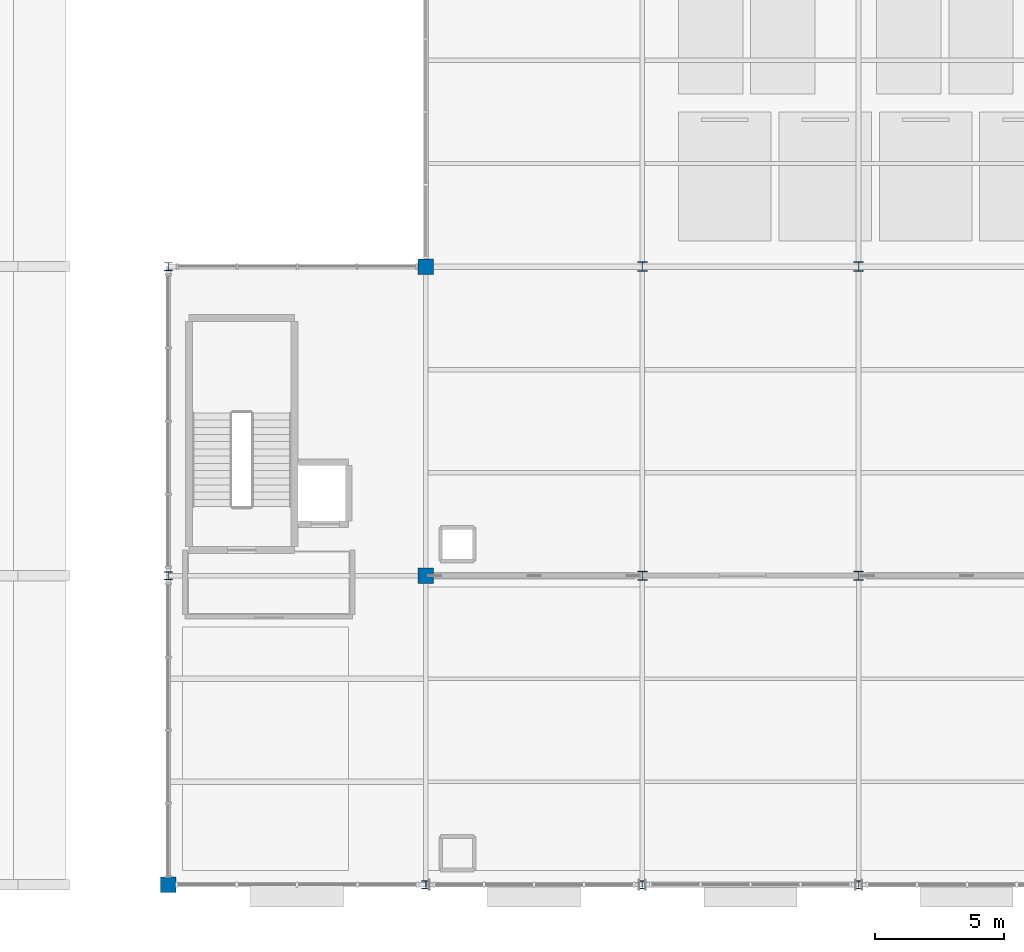
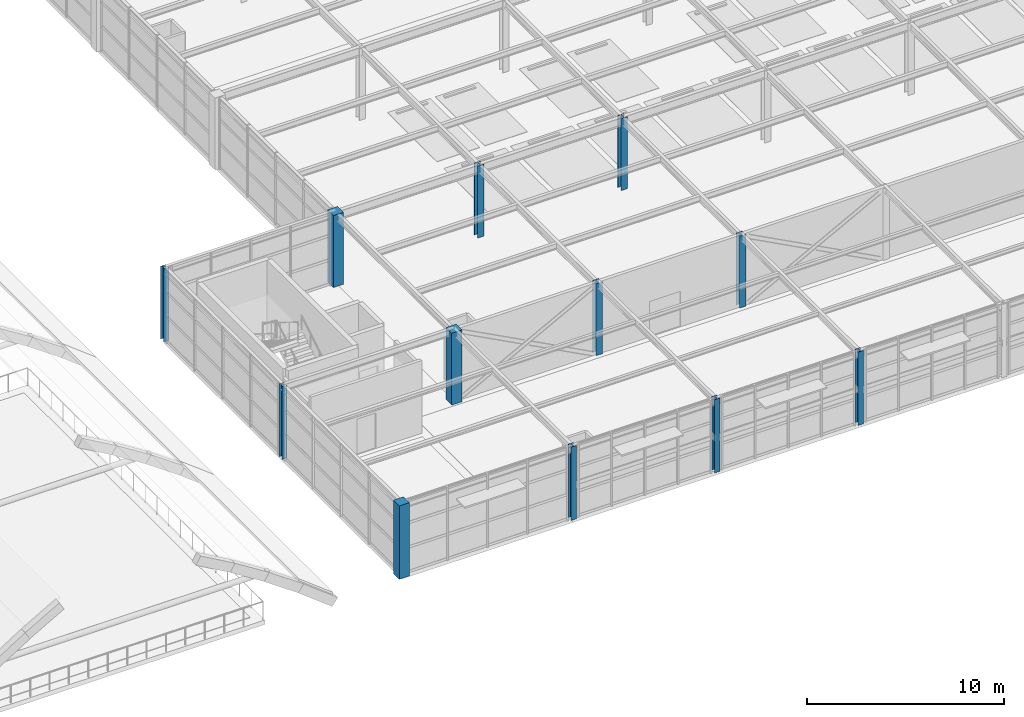
# One storey, part 1 of 82: 12 columns.
"""IFC4 building model written with IfcOpenShell, lengths in metres."""

from ifc_helpers import new_model, si_unit, direction, frame, origin, origin_2d, place, context, subcontext, project, spatial, rectangle, i_section, extrude, material, material_profile, profile_set, type_object, element, save


model = new_model("IFC4")

# Units and contexts
model_context = context("Model", 3, precision=1e-05, world=origin(), true_north=direction((0.0, 1.0)))
body_context = subcontext(model_context, "Body", "Model", "MODEL_VIEW")
ifc_project = project(units=[si_unit("LENGTHUNIT", "METRE"), si_unit("AREAUNIT", "SQUARE_METRE"), si_unit("VOLUMEUNIT", "CUBIC_METRE"), si_unit("PLANEANGLEUNIT", "RADIAN"), si_unit("MASSUNIT", "GRAM", prefix="KILO")], contexts=[model_context])

# Site, building, storey
site_placement = place(None, origin())
site = spatial("IfcSite", under=ifc_project, at=site_placement, CompositionType="ELEMENT")
building_placement = place(site_placement, origin())
building = spatial("IfcBuilding", under=site, at=building_placement, Name="Sitalva Quay Ferry Terminal", CompositionType="ELEMENT")
storey_placement = place(building_placement, frame((0.0, 0.0, 5.39990234375)))
storey = spatial("IfcBuildingStorey", under=building, at=storey_placement, Name="L02", CompositionType="ELEMENT", Elevation=5.39990234375)

# Columns
ifc_material_1 = material(Name="Concrete C35/45", Category="concrete")
ifc_material_profile_1 = material_profile(ifc_material_1, rectangle(XDim=0.60009765625, YDim=0.60009765625, at=origin_2d()), Name="RC600x600")
ifc_profile_set_1 = profile_set([ifc_material_profile_1], Name="Concrete C35/45")
column_type_1 = type_object("IfcColumnType", Name="Col_RC600x600", PredefinedType="COLUMN", material=ifc_profile_set_1)
column_placement = place(storey_placement, frame((74.0, 6.0, 0.0), z_axis=(0.0, 0.0, 1.0), x_axis=(1.0, 0.0, 0.0)))
element("IfcColumn", 1, at=column_placement, inside=storey, type_object=column_type_1, Name="L02 column 10C", PredefinedType="COLUMN", context=body_context, shape_type="SweptSolid", body=[
    extrude(rectangle(XDim=0.60009765625, YDim=0.60009765625, at=origin_2d()), origin(), (0.0, 0.0, 1.0), 4.5400390625),
])
for number, where, z_axis, x_axis, name in (
    (2, (84.0, 18.0, 0.0), (0.0, 0.0, 1.0), (1.0, 0.0, 0.0), "L02 column 11D"),
    (3, (84.0, 30.0, 0.0), (0.0, 0.0, 1.0), (1.0, 0.0, 0.0), "L02 column 11E"),
):
    element("IfcColumn", number, at=place(storey_placement, frame(where, z_axis=z_axis, x_axis=x_axis)), inside=storey, type_object=column_type_1, Name=name, PredefinedType="COLUMN", context=body_context, shape_type="SweptSolid", body=[
        extrude(rectangle(XDim=0.60009765625, YDim=0.60009765625, at=origin_2d()), origin(), (0.0, 0.0, 1.0), 4.4501953125),
    ])
ifc_material_2 = material(Name="Structural Steel S355JR", Category="steel")
ifc_material_profile_2 = material_profile(ifc_material_2, i_section(OverallWidth=0.305908203125, OverallDepth=0.31103515625, WebThickness=0.010986328125, FlangeThickness=0.01708984375, FilletRadius=0.014892578125, at=origin_2d()), Name="W310x107")
ifc_profile_set_2 = profile_set([ifc_material_profile_2], Name="Structural Steel S355JR")
column_type_2 = type_object("IfcColumnType", Name="Col_W310x107", PredefinedType="COLUMN", material=ifc_profile_set_2)
for number, where, z_axis, x_axis, name in (
    (4, (84.0, 6.0, 0.0), (0.0, 0.0, 1.0), (1.0, 0.0, 0.0), "L02 column 11C"),
    (5, (92.39990234375, 6.0, 0.0), (0.0, 0.0, 1.0), (1.0, 0.0, 0.0), "L02 column 12C"),
    (6, (100.800048828125, 6.0, 0.0), (0.0, 0.0, 1.0), (1.0, 0.0, 0.0), "L02 column 13C"),
):
    element("IfcColumn", number, at=place(storey_placement, frame(where, z_axis=z_axis, x_axis=x_axis)), inside=storey, type_object=column_type_2, Name=name, PredefinedType="COLUMN", context=body_context, shape_type="SweptSolid", body=[
        extrude(i_section(OverallWidth=0.305908203125, OverallDepth=0.31103515625, WebThickness=0.010986328125, FlangeThickness=0.01708984375, FilletRadius=0.014892578125, at=origin_2d()), origin(), (0.0, 0.0, 1.0), 4.5400390625),
    ])
for number, where, z_axis, x_axis, name in (
    (7, (74.0, 18.0, 0.0), (0.0, 0.0, 1.0), (1.0, 0.0, 0.0), "L02 column 10D"),
    (8, (74.0, 30.0, 0.0), (0.0, 0.0, 1.0), (1.0, 0.0, 0.0), "L02 column 10E"),
):
    element("IfcColumn", number, at=place(storey_placement, frame(where, z_axis=z_axis, x_axis=x_axis)), inside=storey, type_object=column_type_2, Name=name, PredefinedType="COLUMN", context=body_context, shape_type="SweptSolid", body=[
        extrude(i_section(OverallWidth=0.305908203125, OverallDepth=0.31103515625, WebThickness=0.010986328125, FlangeThickness=0.01708984375, FilletRadius=0.014892578125, at=origin_2d()), origin(), (0.0, 0.0, 1.0), 4.5),
    ])
ifc_material_3 = material(Name="Structural Steel S355JR", Category="steel")
ifc_material_profile_3 = material_profile(ifc_material_3, i_section(OverallWidth=0.368896484375, OverallDepth=0.35595703125, WebThickness=0.01123046875, FlangeThickness=0.01806640625, FilletRadius=0.014892578125, at=origin_2d()), Name="W360x134")
ifc_profile_set_3 = profile_set([ifc_material_profile_3], Name="Structural Steel S355JR")
column_type_3 = type_object("IfcColumnType", Name="Col_W360x134", PredefinedType="COLUMN", material=ifc_profile_set_3)
for number, where, z_axis, x_axis, name in (
    (9, (92.39990234375, 18.0, 0.0), (0.0, 0.0, 1.0), (1.0, 0.0, 0.0), "L02 column 12D"),
    (10, (100.800048828125, 18.0, 0.0), (0.0, 0.0, 1.0), (1.0, 0.0, 0.0), "L02 column 13D"),
    (11, (92.39990234375, 30.0, 0.0), (0.0, 0.0, 1.0), (1.0, 0.0, 0.0), "L02 column 12E"),
    (12, (100.800048828125, 30.0, 0.0), (0.0, 0.0, 1.0), (1.0, 0.0, 0.0), "L02 column 13E"),
):
    element("IfcColumn", number, at=place(storey_placement, frame(where, z_axis=z_axis, x_axis=x_axis)), inside=storey, type_object=column_type_3, Name=name, PredefinedType="COLUMN", context=body_context, shape_type="SweptSolid", body=[
        extrude(i_section(OverallWidth=0.368896484375, OverallDepth=0.35595703125, WebThickness=0.01123046875, FlangeThickness=0.01806640625, FilletRadius=0.014892578125, at=origin_2d()), origin(), (0.0, 0.0, 1.0), 4.4501953125),
    ])

save(model, "model.ifc")
